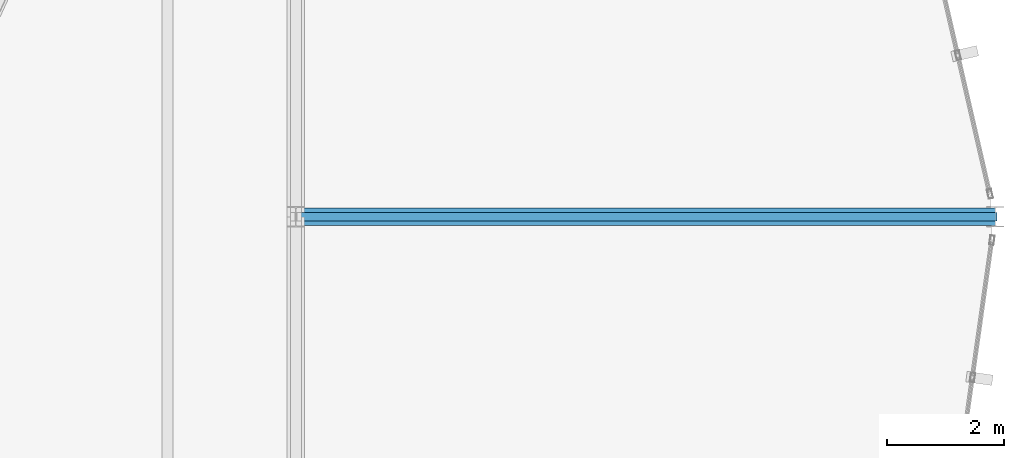
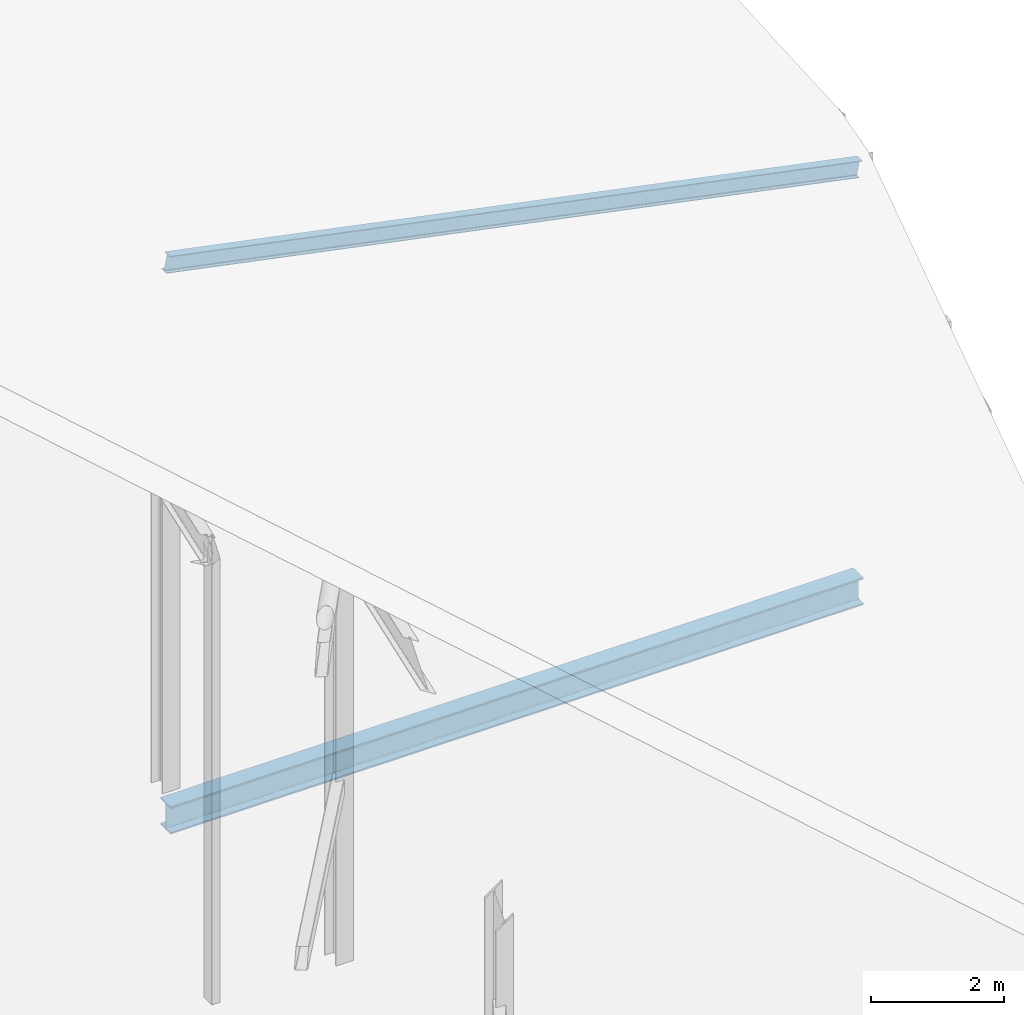
# One storey, part 22 of 74: 1 beam, 1 member.
"""IFC4 building model written with IfcOpenShell, lengths in metres."""

from ifc_helpers import new_model, si_unit, direction, frame, origin, origin_2d, place, context, subcontext, project, spatial, i_section, extrude, material, material_profile, profile_set, type_object, element, save


model = new_model("IFC4")

# Units and contexts
model_context = context("Model", 3, precision=1e-05, world=origin(), true_north=direction((0.0, 1.0)))
body_context = subcontext(model_context, "Body", "Model", "MODEL_VIEW")
ifc_project = project(units=[si_unit("LENGTHUNIT", "METRE"), si_unit("AREAUNIT", "SQUARE_METRE"), si_unit("VOLUMEUNIT", "CUBIC_METRE"), si_unit("PLANEANGLEUNIT", "RADIAN"), si_unit("MASSUNIT", "GRAM", prefix="KILO")], contexts=[model_context])

# Site, building, storey
site_placement = place(None, origin())
site = spatial("IfcSite", under=ifc_project, at=site_placement, CompositionType="ELEMENT")
building_placement = place(site_placement, origin())
building = spatial("IfcBuilding", under=site, at=building_placement, Name="Keshet Zoharim Tower", CompositionType="ELEMENT")
storey_placement = place(building_placement, frame((0.0, 0.0, 320.0)))
storey = spatial("IfcBuildingStorey", under=building, at=storey_placement, Name="RF", CompositionType="ELEMENT", Elevation=320.0)

# Beam
ifc_material = material(Name="Steel S355", Category="steel")
ifc_material_profile_1 = material_profile(ifc_material, i_section(OverallWidth=0.300048828125, OverallDepth=0.5, WebThickness=0.014404296875, FlangeThickness=0.028076171875, FilletRadius=0.027099609375, at=origin_2d()), Name="HEB500")
ifc_profile_set_1 = profile_set([ifc_material_profile_1], Name="Steel S355")
beam_type = type_object("IfcBeamType", Name="BM-MED-HB500", PredefinedType="BEAM", material=ifc_profile_set_1)
beam_placement = place(storey_placement, frame((33.0, 27.89990234375, -0.56005859375), z_axis=(1.0, 0.0, 0.0), x_axis=(0.0, 1.0, 0.0)))
element("IfcBeam", 1, at=beam_placement, inside=storey, type_object=beam_type, Name="RF Primary Girder X-008", PredefinedType="BEAM", context=body_context, shape_type="SweptSolid", body=[
    extrude(i_section(OverallWidth=0.300048828125, OverallDepth=0.5, WebThickness=0.014404296875, FlangeThickness=0.028076171875, FilletRadius=0.027099609375, at=origin_2d()), origin(), (0.0, 0.0, 1.0), 12.0),
])

# Member
ifc_material_profile_2 = material_profile(ifc_material, i_section(OverallWidth=0.14990234375, OverallDepth=0.300048828125, WebThickness=0.007080078125, FlangeThickness=0.0107421875, FilletRadius=0.014892578125, at=origin_2d()), Name="IPE300")
ifc_profile_set_2 = profile_set([ifc_material_profile_2], Name="Steel S355")
member_type = type_object("IfcMemberType", Name="MB-PUR-IP300", PredefinedType="PURLIN", material=ifc_profile_set_2)
member_placement = place(storey_placement, frame((33.0, 27.89990234375, 9.568603515625), z_axis=(0.979827565479, 0.0, -0.199844794595), x_axis=(0.0, 1.0, 0.0)))
element("IfcMember", 2, at=member_placement, inside=storey, type_object=member_type, Name="Crown Roof Purlin 07", PredefinedType="PURLIN", context=body_context, shape_type="SweptSolid", body=[
    extrude(i_section(OverallWidth=0.14990234375, OverallDepth=0.300048828125, WebThickness=0.007080078125, FlangeThickness=0.0107421875, FilletRadius=0.014892578125, at=origin_2d()), origin(), (0.0, 0.0, 1.0), 12.2470703125),
])

save(model, "model.ifc")
